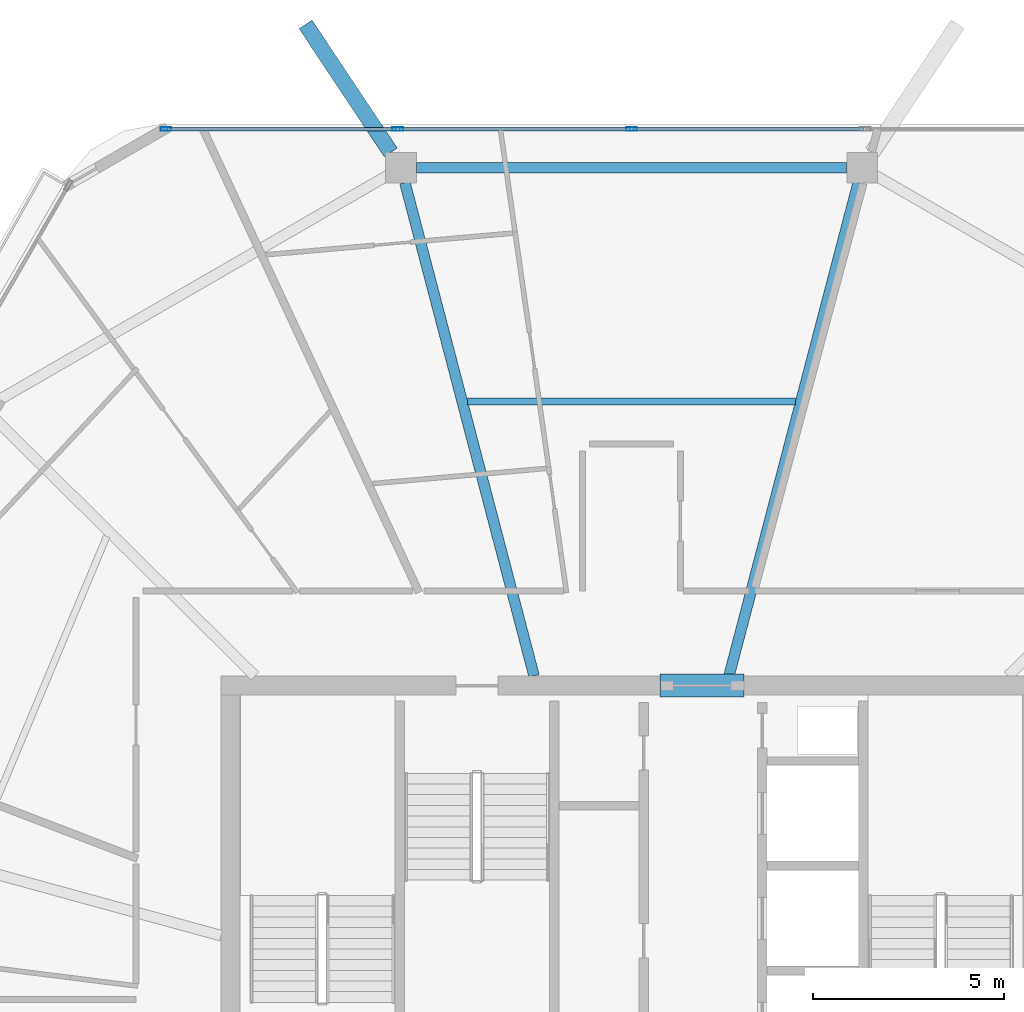
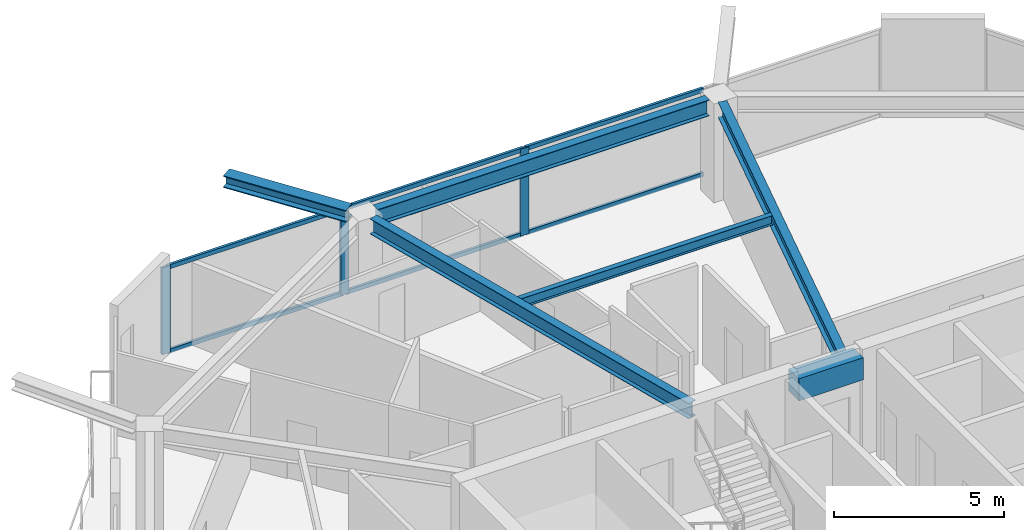
# One storey, part 8 of 19: 9 members, 6 beams, 1 element without a shape of its own.
"""IFC4 building model written with IfcOpenShell, lengths in metres."""

from ifc_helpers import new_model, si_unit, direction, frame, origin, origin_2d, place, context, subcontext, project, spatial, rectangle, hollow_rectangle, i_section, extrude, material, material_profile, profile_set, type_object, element, aggregate, save


model = new_model("IFC4")

# Units and contexts
model_context = context("Model", 3, precision=1e-05, world=origin(), true_north=direction((0.0, 1.0)))
body_context = subcontext(model_context, "Body", "Model", "MODEL_VIEW")
ifc_project = project(units=[si_unit("LENGTHUNIT", "METRE"), si_unit("AREAUNIT", "SQUARE_METRE"), si_unit("VOLUMEUNIT", "CUBIC_METRE"), si_unit("PLANEANGLEUNIT", "RADIAN"), si_unit("MASSUNIT", "GRAM", prefix="KILO")], contexts=[model_context])

# Site, building, storey
site_placement = place(None, origin())
site = spatial("IfcSite", under=ifc_project, at=site_placement, CompositionType="ELEMENT")
building_placement = place(site_placement, origin())
building = spatial("IfcBuilding", under=site, at=building_placement, Name="Zuhravey Tower", CompositionType="ELEMENT")
storey_placement = place(building_placement, frame((0.0, 0.0, 327.199951171875)))
storey = spatial("IfcBuildingStorey", under=building, at=storey_placement, Name="L83", CompositionType="ELEMENT", Elevation=327.199951171875)

# Beam
ifc_material_1 = material(Name="Concrete C50/60", Category="concrete")
ifc_material_profile_1 = material_profile(ifc_material_1, rectangle(XDim=0.60009765625, YDim=0.800048828125, at=origin_2d()), Name="RC-600x800")
ifc_profile_set_1 = profile_set([ifc_material_profile_1], Name="Concrete C50/60")
beam_type_1 = type_object("IfcBeamType", Name="Core Coupling Beam RC600x800", PredefinedType="LINTEL", material=ifc_profile_set_1)
beam_1_placement = place(storey_placement, frame((36.751953125, 41.5, 3.150146484375), z_axis=(1.0, 0.0, 0.0), x_axis=(0.0, 1.0, 0.0)))
element("IfcBeam", 1, at=beam_1_placement, inside=storey, type_object=beam_type_1, Name="L83 CB2 BM-L83-CB-N", PredefinedType="LINTEL", context=body_context, shape_type="SweptSolid", body=[
    extrude(rectangle(XDim=0.60009765625, YDim=0.800048828125, at=origin_2d()), origin(), (0.0, 0.0, 1.0), 2.196044921875),
])

# Curtain wall, members
ifc_material_2 = material(Name="Thermally broken anodised aluminium", Category="aluminium")
curtain_wall_type = type_object("IfcCurtainWallType", Name="Zone 3-4 High-Rise Curtain Wall CW4", PredefinedType="NOTDEFINED", material=ifc_material_2)
curtain_wall_placement = place(storey_placement, origin())
curtain_wall = element("IfcCurtainWall", 2, at=curtain_wall_placement, inside=storey, type_object=curtain_wall_type, Name="L83 CW4 CW-L83-F2-1", PredefinedType="NOTDEFINED")
ifc_material_3 = material(Name="Anodised aluminium", Category="aluminium")
ifc_material_profile_2 = material_profile(ifc_material_3, hollow_rectangle(XDim=0.090087890625, YDim=0.284912109375, WallThickness=0.0048828125, at=origin_2d()), Name="ALU-RHS-90x285x5")
ifc_profile_set_2 = profile_set([ifc_material_profile_2], Name="Anodised aluminium")
member_type_1 = type_object("IfcMemberType", Name="Curtain-Wall Mullion 90x180", PredefinedType="MULLION", material=ifc_profile_set_2)
member_1_placement = place(storey_placement, frame((23.8056640625, 56.07421875, 0.0), z_axis=(0.0, 0.0, 1.0), x_axis=(0.0, 1.0, 0.0)))
member_1 = element("IfcMember", 3, at=member_1_placement, type_object=member_type_1, Name="CW4 mullion 1", PredefinedType="MULLION", context=body_context, shape_type="SweptSolid", body=[
    extrude(hollow_rectangle(XDim=0.090087890625, YDim=0.284912109375, WallThickness=0.0048828125, at=origin_2d()), origin(), (0.0, 0.0, 1.0), 3.1220703125),
])
member_2_placement = place(storey_placement, frame((29.88037109375, 56.07421875, 0.0), z_axis=(0.0, 0.0, 1.0), x_axis=(0.0, 1.0, 0.0)))
member_2 = element("IfcMember", 4, at=member_2_placement, type_object=member_type_1, Name="CW4 mullion 2", PredefinedType="MULLION", context=body_context, shape_type="SweptSolid", body=[
    extrude(hollow_rectangle(XDim=0.090087890625, YDim=0.284912109375, WallThickness=0.0048828125, at=origin_2d()), origin(), (0.0, 0.0, 1.0), 3.1220703125),
])
member_3_placement = place(storey_placement, frame((36.0, 56.07421875, 0.0), z_axis=(0.0, 0.0, 1.0), x_axis=(0.0, 1.0, 0.0)))
member_3 = element("IfcMember", 5, at=member_3_placement, type_object=member_type_1, Name="CW4 mullion 3", PredefinedType="MULLION", context=body_context, shape_type="SweptSolid", body=[
    extrude(hollow_rectangle(XDim=0.090087890625, YDim=0.284912109375, WallThickness=0.0048828125, at=origin_2d()), origin(), (0.0, 0.0, 1.0), 3.1220703125),
])
ifc_material_profile_3 = material_profile(ifc_material_3, hollow_rectangle(XDim=0.090087890625, YDim=0.14990234375, WallThickness=0.0048828125, at=origin_2d()), Name="ALU-RHS-90x150x5")
ifc_profile_set_3 = profile_set([ifc_material_profile_3], Name="Anodised aluminium")
member_type_2 = type_object("IfcMemberType", Name="Curtain-Wall Transom 90x150", PredefinedType="USERDEFINED", material=ifc_profile_set_3)
member_4_placement = place(storey_placement, frame((23.8505859375, 56.07421875, 0.045166015625), z_axis=(1.0, 0.0, 0.0), x_axis=(0.0, 1.0, 0.0)))
member_4 = element("IfcMember", 6, at=member_4_placement, type_object=member_type_2, Name="CW4 transom 1.1", ObjectType="TRANSOM", PredefinedType="USERDEFINED", context=body_context, shape_type="SweptSolid", body=[
    extrude(hollow_rectangle(XDim=0.090087890625, YDim=0.14990234375, WallThickness=0.0048828125, at=origin_2d()), origin(), (0.0, 0.0, 1.0), 5.98486328125),
])
member_5_placement = place(storey_placement, frame((23.8505859375, 56.07421875, 3.0771484375), z_axis=(1.0, 0.0, 0.0), x_axis=(0.0, 1.0, 0.0)))
member_5 = element("IfcMember", 7, at=member_5_placement, type_object=member_type_2, Name="CW4 transom 1.2", ObjectType="TRANSOM", PredefinedType="USERDEFINED", context=body_context, shape_type="SweptSolid", body=[
    extrude(hollow_rectangle(XDim=0.090087890625, YDim=0.14990234375, WallThickness=0.0048828125, at=origin_2d()), origin(), (0.0, 0.0, 1.0), 5.98486328125),
])
member_6_placement = place(storey_placement, frame((29.92529296875, 56.07421875, 0.045166015625), z_axis=(1.0, 0.0, 0.0), x_axis=(0.0, 1.0, 0.0)))
member_6 = element("IfcMember", 8, at=member_6_placement, type_object=member_type_2, Name="CW4 transom 2.1", ObjectType="TRANSOM", PredefinedType="USERDEFINED", context=body_context, shape_type="SweptSolid", body=[
    extrude(hollow_rectangle(XDim=0.090087890625, YDim=0.14990234375, WallThickness=0.0048828125, at=origin_2d()), origin(), (0.0, 0.0, 1.0), 6.02978515625),
])
member_7_placement = place(storey_placement, frame((29.92529296875, 56.07421875, 3.0771484375), z_axis=(1.0, 0.0, 0.0), x_axis=(0.0, 1.0, 0.0)))
member_7 = element("IfcMember", 9, at=member_7_placement, type_object=member_type_2, Name="CW4 transom 2.2", ObjectType="TRANSOM", PredefinedType="USERDEFINED", context=body_context, shape_type="SweptSolid", body=[
    extrude(hollow_rectangle(XDim=0.090087890625, YDim=0.14990234375, WallThickness=0.0048828125, at=origin_2d()), origin(), (0.0, 0.0, 1.0), 6.02978515625),
])
member_8_placement = place(storey_placement, frame((36.044921875, 56.07421875, 0.045166015625), z_axis=(1.0, 0.0, 0.0), x_axis=(0.0, 1.0, 0.0)))
member_8 = element("IfcMember", 10, at=member_8_placement, type_object=member_type_2, Name="CW4 transom 3.1", ObjectType="TRANSOM", PredefinedType="USERDEFINED", context=body_context, shape_type="SweptSolid", body=[
    extrude(hollow_rectangle(XDim=0.090087890625, YDim=0.14990234375, WallThickness=0.0048828125, at=origin_2d()), origin(), (0.0, 0.0, 1.0), 6.02978515625),
])
member_9_placement = place(storey_placement, frame((36.044921875, 56.07421875, 3.0771484375), z_axis=(1.0, 0.0, 0.0), x_axis=(0.0, 1.0, 0.0)))
member_9 = element("IfcMember", 11, at=member_9_placement, type_object=member_type_2, Name="CW4 transom 3.2", ObjectType="TRANSOM", PredefinedType="USERDEFINED", context=body_context, shape_type="SweptSolid", body=[
    extrude(hollow_rectangle(XDim=0.090087890625, YDim=0.14990234375, WallThickness=0.0048828125, at=origin_2d()), origin(), (0.0, 0.0, 1.0), 6.02978515625),
])
aggregate(curtain_wall, [member_1, member_2, member_3, member_4, member_5, member_6, member_7, member_8, member_9])

# Beams
ifc_material_4 = material(Name="Steel SM460", Category="steel")
ifc_material_profile_4 = material_profile(ifc_material_4, i_section(OverallWidth=0.406982421875, OverallDepth=0.427978515625, WebThickness=0.02001953125, FlangeThickness=0.034912109375, at=origin_2d()), Name="H-428x407x20x35")
ifc_profile_set_4 = profile_set([ifc_material_profile_4], Name="Steel SM460")
beam_type_2 = type_object("IfcBeamType", Name="Exoskeleton Node Tie Beam H428x407", PredefinedType="BEAM", material=ifc_profile_set_4)
beam_2_placement = place(storey_placement, frame((29.692626953125, 55.467529296875, 3.3359375), z_axis=(-0.554336643852, 0.832292547896, 0.0), x_axis=(-0.832292547896, -0.554336643852, 0.0)))
element("IfcBeam", 12, at=beam_2_placement, inside=storey, type_object=beam_type_2, Name="L83 Exoskeleton Node Tie NT1-04", PredefinedType="BEAM", context=body_context, shape_type="SweptSolid", body=[
    extrude(i_section(OverallWidth=0.406982421875, OverallDepth=0.427978515625, WebThickness=0.02001953125, FlangeThickness=0.034912109375, at=origin_2d()), origin(), (0.0, 0.0, 1.0), 4.02978515625),
])
ifc_material_5 = material(Name="Steel SM355", Category="steel")
ifc_material_profile_5 = material_profile(ifc_material_5, i_section(OverallWidth=0.280029296875, OverallDepth=0.580078125, WebThickness=0.011962890625, FlangeThickness=0.01904296875, at=origin_2d()), Name="H-580x280x12x19")
ifc_profile_set_5 = profile_set([ifc_material_profile_5], Name="Steel SM355")
beam_type_3 = type_object("IfcBeamType", Name="Perimeter Ring Beam H580x280", PredefinedType="BEAM", material=ifc_profile_set_5)
beam_3_placement = place(storey_placement, frame((41.6357421875, 55.064208984375, 3.260009765625), z_axis=(-1.0, 0.0, 0.0), x_axis=(0.0, -1.0, 0.0)))
element("IfcBeam", 13, at=beam_3_placement, inside=storey, type_object=beam_type_3, Name="L83 PB4 BM-L83-PB-03", PredefinedType="BEAM", context=body_context, shape_type="SweptSolid", body=[
    extrude(i_section(OverallWidth=0.280029296875, OverallDepth=0.580078125, WebThickness=0.011962890625, FlangeThickness=0.01904296875, at=origin_2d()), origin(), (0.0, 0.0, 1.0), 11.271484375),
])
ifc_material_profile_6 = material_profile(ifc_material_5, i_section(OverallWidth=0.280029296875, OverallDepth=0.550048828125, WebThickness=0.010986328125, FlangeThickness=0.01806640625, at=origin_2d()), Name="H-550x280x11x18")
ifc_profile_set_6 = profile_set([ifc_material_profile_6], Name="Steel SM355")
beam_type_4 = type_object("IfcBeamType", Name="Radial Primary Girder H550x280", PredefinedType="BEAM", material=ifc_profile_set_6)
for number, where, z_axis, x_axis, name in (
    (14, (38.553466796875, 41.7529296875, 3.275146484375), (0.253281197106, 0.967392699576, 0.0), (-0.967392699576, 0.253281197106, 0.0), "L83 RG4 BM-L83-RAD-03"),
    (15, (33.446533203125, 41.7529296875, 3.275146484375), (-0.253281197106, 0.967392699576, 0.0), (-0.967392699576, -0.253281197106, 0.0), "L83 RG4 BM-L83-RAD-04"),
):
    element("IfcBeam", number, at=place(storey_placement, frame(where, z_axis=z_axis, x_axis=x_axis)), inside=storey, type_object=beam_type_4, Name=name, PredefinedType="BEAM", context=body_context, shape_type="SweptSolid", body=[
        extrude(i_section(OverallWidth=0.280029296875, OverallDepth=0.550048828125, WebThickness=0.010986328125, FlangeThickness=0.01806640625, at=origin_2d()), origin(), (0.0, 0.0, 1.0), 13.35693359375),
    ])
ifc_material_profile_7 = material_profile(ifc_material_5, i_section(OverallWidth=0.175048828125, OverallDepth=0.35009765625, WebThickness=0.007080078125, FlangeThickness=0.010986328125, at=origin_2d()), Name="H-350x175x7x11")
ifc_profile_set_7 = profile_set([ifc_material_profile_7], Name="Steel SM355")
beam_type_5 = type_object("IfcBeamType", Name="Secondary Floor Joist H350x175", PredefinedType="JOIST", material=ifc_profile_set_7)
beam_4_placement = place(storey_placement, frame((40.29150390625, 48.94091796875, 3.375), z_axis=(-1.0, 0.0, 0.0), x_axis=(0.0, -1.0, 0.0)))
element("IfcBeam", 16, at=beam_4_placement, inside=storey, type_object=beam_type_5, Name="L83 SJ3 BM-L83-SJ-03-1", PredefinedType="JOIST", context=body_context, shape_type="SweptSolid", body=[
    extrude(i_section(OverallWidth=0.175048828125, OverallDepth=0.35009765625, WebThickness=0.007080078125, FlangeThickness=0.010986328125, at=origin_2d()), origin(), (0.0, 0.0, 1.0), 8.5830078125),
])

save(model, "model.ifc")
